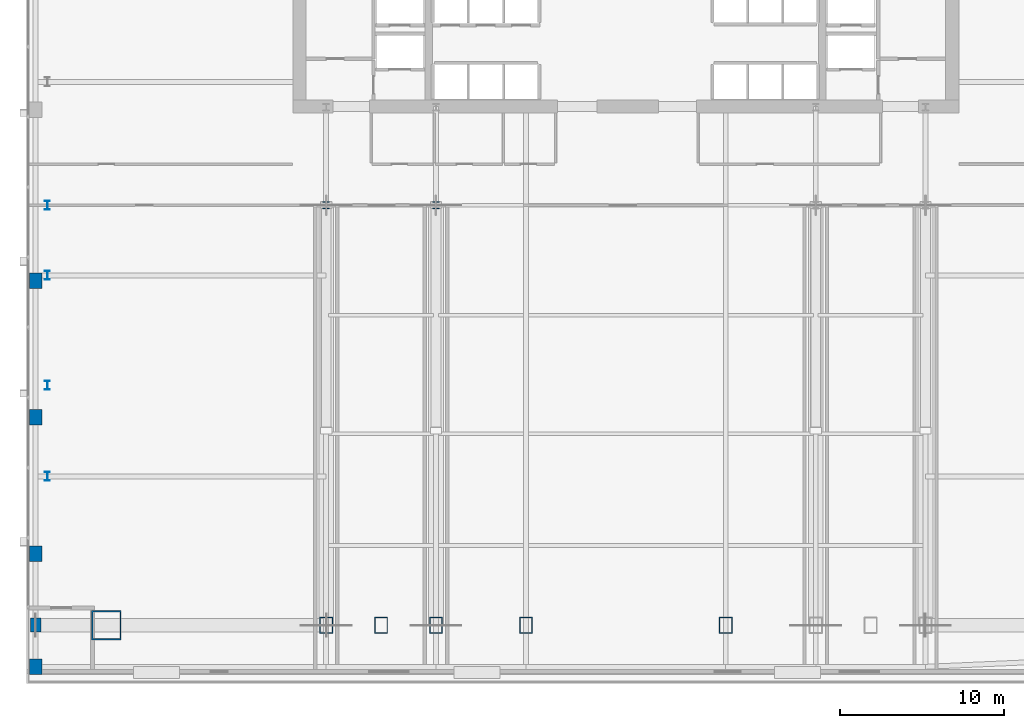
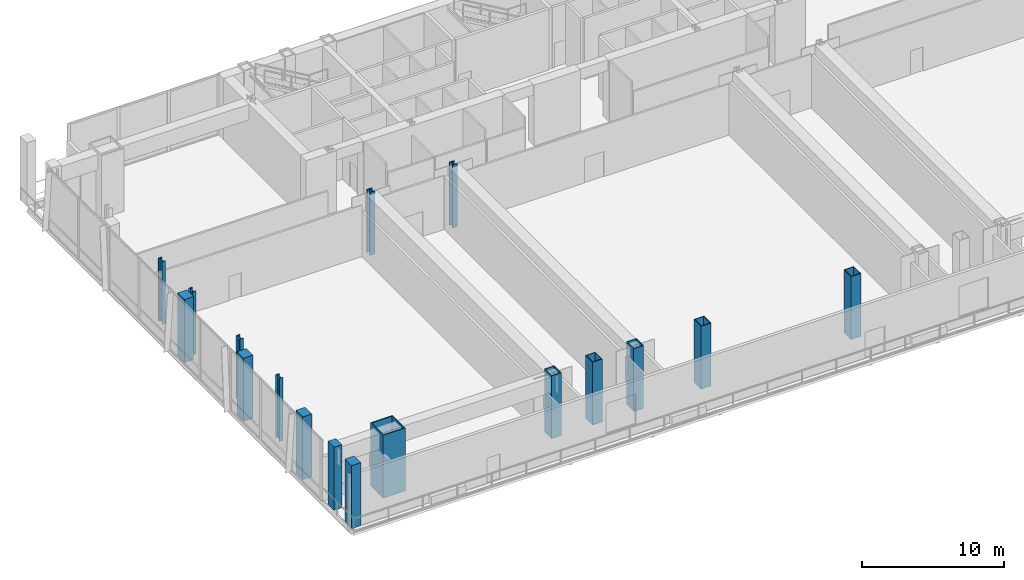
# One storey, part 1 of 26: 17 columns.
"""IFC4 building model written with IfcOpenShell, lengths in metres."""

import ifcopenshell
import ifcopenshell.guid

model = None  # the IFC model being written
_history = None  # IfcOwnerHistory: only IFC2X3 demands one
_inside = {}  # id of a spatial element -> (the spatial element, [elements in it])
_under = {}  # id of a project, library or spatial element -> (it, [spatial elements below it])
_declared = {}  # id of a project -> (the project, [libraries it declares])
_typed = {}  # id of a type object -> (the type object, [elements of that type])
_made_of = {}  # id of a material, layer set ... -> (it, [elements and type objects made of it])


def new_model(schema):
    """Start an empty IFC model of exactly this schema.

    Asked for "IFC4X3", IfcOpenShell would pick the latest addendum, in which some entities
    have other attributes; the version numbers below select the first issue.
    IFC2X3 requires an IfcOwnerHistory on every rooted entity: one is made here for all.
    """
    global model, _history
    if schema == "IFC4X3":
        model = ifcopenshell.file(schema_version=(4, 3, 0, 0))
    else:
        model = ifcopenshell.file(schema=schema)
    _inside.clear()
    _under.clear()
    _declared.clear()
    _typed.clear()
    _made_of.clear()
    _history = None
    if model.schema == "IFC2X3":
        org = make("IfcOrganization", Name="unknown")
        user = make(
            "IfcPersonAndOrganization",
            ThePerson=make("IfcPerson", FamilyName="unknown"),
            TheOrganization=org,
        )
        app = make(
            "IfcApplication",
            ApplicationDeveloper=org,
            Version="unknown",
            ApplicationFullName="unknown",
            ApplicationIdentifier="unknown",
        )
        _history = make(
            "IfcOwnerHistory",
            OwningUser=user,
            OwningApplication=app,
            ChangeAction="ADDED",
            CreationDate=0,
        )
    return model


def make(cls, **values):
    """One entity of the class cls with the attributes given. An attribute that is None is left unset."""
    return model.create_entity(
        cls, **{name: value for name, value in values.items() if value is not None}
    )


def rooted(cls, **values):
    """An entity with a GlobalId (a new one), such as an element, a storey or a relation."""
    return make(cls, GlobalId=ifcopenshell.guid.new(), OwnerHistory=_history, **values)


def si_unit(unit_type, name, prefix=None):
    """IfcSIUnit, for example si_unit("LENGTHUNIT", "METRE", prefix="MILLI")."""
    return make("IfcSIUnit", UnitType=unit_type, Prefix=prefix, Name=name)


def assignment(units):
    """IfcUnitAssignment: the units of a project."""
    return None if units is None else make("IfcUnitAssignment", Units=units)


def point(xyz):
    """IfcCartesianPoint."""
    return None if xyz is None else make("IfcCartesianPoint", Coordinates=xyz)


def direction(xyz):
    """IfcDirection."""
    return None if xyz is None else make("IfcDirection", DirectionRatios=xyz)


def frame(location, z_axis=None, x_axis=None):
    """IfcAxis2Placement3D, a coordinate frame: its origin and axes. An axis left out is left unset."""
    return make(
        "IfcAxis2Placement3D",
        Location=point(location),
        Axis=direction(z_axis),
        RefDirection=direction(x_axis),
    )


def frame_2d(location, x_axis=None):
    """IfcAxis2Placement2D, a coordinate frame in the plane: its origin and x axis."""
    return make(
        "IfcAxis2Placement2D", Location=point(location), RefDirection=direction(x_axis)
    )


def origin():
    """The frame at (0, 0, 0) with its axes left unset."""
    return frame((0.0, 0.0, 0.0))


def origin_2d():
    """The frame at (0, 0) in the plane with its x axis left unset."""
    return frame_2d((0.0, 0.0))


def place(relative_to, where):
    """IfcLocalPlacement: puts the frame where relative to a parent placement (None: the world)."""
    return make(
        "IfcLocalPlacement", PlacementRelTo=relative_to, RelativePlacement=where
    )


def context(
    kind, dimensions, precision=None, world=None, true_north=None, identifier=None
):
    """IfcGeometricRepresentationContext, for example the 3D "Model" context."""
    return make(
        "IfcGeometricRepresentationContext",
        ContextIdentifier=identifier,
        ContextType=kind,
        CoordinateSpaceDimension=dimensions,
        Precision=precision,
        WorldCoordinateSystem=world,
        TrueNorth=true_north,
    )


def subcontext(parent, identifier, kind, view, scale=None):
    """IfcGeometricRepresentationSubContext, for example "Body" below "Model"."""
    return make(
        "IfcGeometricRepresentationSubContext",
        ContextIdentifier=identifier,
        ContextType=kind,
        ParentContext=parent,
        TargetScale=scale,
        TargetView=view,
    )


def project(units=None, contexts=None):
    """IfcProject with its units and contexts."""
    return rooted(
        "IfcProject",
        Name="project",
        RepresentationContexts=contexts,
        UnitsInContext=assignment(units),
    )


def spatial(cls, under=None, at=None, **own):
    """A site, building, storey or space (cls), placed at a placement, below another one or the project."""
    s = rooted(cls, ObjectPlacement=at, **own)
    if under is not None:
        _under.setdefault(under.id(), (under, []))[1].append(s)
    return s


def profile(cls, at=None, kind="AREA", **sizes):
    """A parametric profile (cls). Its sizes go by their IFC names, for example OverallWidth=200.0."""
    return make(cls, ProfileType=kind, Position=at, **sizes)


def rectangle(**sizes):
    """IfcRectangleProfileDef."""
    return profile("IfcRectangleProfileDef", **sizes)


def hollow_rectangle(**sizes):
    """IfcRectangleHollowProfileDef."""
    return profile("IfcRectangleHollowProfileDef", **sizes)


def i_section(**sizes):
    """IfcIShapeProfileDef."""
    return profile("IfcIShapeProfileDef", **sizes)


def extrude(swept, where, along, depth):
    """IfcExtrudedAreaSolid: the profile swept, set in the frame where, extruded along a direction by depth."""
    return make(
        "IfcExtrudedAreaSolid",
        SweptArea=swept,
        Position=where,
        ExtrudedDirection=direction(along),
        Depth=depth,
    )


def shape(context_of_items, identifier, shape_type, items):
    """IfcShapeRepresentation: the items that make up one representation, for example the "Body"."""
    return make(
        "IfcShapeRepresentation",
        ContextOfItems=context_of_items,
        RepresentationIdentifier=identifier,
        RepresentationType=shape_type,
        Items=items,
    )


def material(Name=None, Category=None):
    """IfcMaterial."""
    return make("IfcMaterial", Name=Name, Category=Category)


def material_profile(
    of_material, cross_section, Name=None, Category=None, Priority=None
):
    """IfcMaterialProfile: a cross section and its material."""
    return make(
        "IfcMaterialProfile",
        Name=Name,
        Material=of_material,
        Profile=cross_section,
        Priority=Priority,
        Category=Category,
    )


def profile_set(profiles, Name=None, composite=None):
    """IfcMaterialProfileSet."""
    return make(
        "IfcMaterialProfileSet",
        Name=Name,
        MaterialProfiles=profiles,
        CompositeProfile=composite,
    )


def made_of(thing, what):
    """Note that an element or type object is made of a material, layer set ...; save() writes the relation."""
    if what is not None:
        _made_of.setdefault(what.id(), (what, []))[1].append(thing)
    return thing


def type_object(cls, material=None, **own):
    """A type object (cls), such as IfcWallType, which elements share."""
    return made_of(rooted(cls, **own), material)


def element(
    cls,
    number,
    at=None,
    inside=None,
    cuts=None,
    type_object=None,
    material=None,
    context=None,
    identifier="Body",
    shape_type=None,
    held_by="IfcProductDefinitionShape",
    body=None,
    shapes=None,
    **own,
):
    """One element of the class cls, such as IfcWall. Its Tag is "e" and its number.

    at: its placement. inside: the storey or other place that contains it. cuts: it is an
    opening in that element (IfcRelVoidsElement). A single representation is given by context,
    identifier, shape_type and body (its items); several are given by shapes. held_by: the class
    of the entity that holds the representations. save() writes the other relations.
    """
    e = rooted(cls, Tag="e%d" % number, ObjectPlacement=at, **own)
    if body is not None:
        shapes = [shape(context, identifier, shape_type, body)]
    if shapes is not None:
        e.Representation = make(held_by, Representations=shapes)
    if inside is not None:
        _inside.setdefault(inside.id(), (inside, []))[1].append(e)
    if cuts is not None:
        rooted(
            "IfcRelVoidsElement", RelatingBuildingElement=cuts, RelatedOpeningElement=e
        )
    if type_object is not None:
        _typed.setdefault(type_object.id(), (type_object, []))[1].append(e)
    return made_of(e, material)


def aggregate(whole, parts):
    """IfcRelAggregates: a whole, such as a stair, and the parts it consists of."""
    return rooted("IfcRelAggregates", RelatingObject=whole, RelatedObjects=parts)


def save(model, path):
    """Write the relations noted so far, then the file.

    IfcRelAggregates (storeys below a building ...), IfcRelContainedInSpatialStructure (elements
    in a storey), IfcRelDefinesByType, IfcRelAssociatesMaterial and IfcRelDeclares: one each for
    every whole, place, type object, material and project.
    """
    for whole, parts in _under.values():
        aggregate(whole, parts)
    for where, things in _inside.values():
        rooted(
            "IfcRelContainedInSpatialStructure",
            RelatedElements=things,
            RelatingStructure=where,
        )
    for kind, things in _typed.values():
        rooted("IfcRelDefinesByType", RelatedObjects=things, RelatingType=kind)
    for what, things in _made_of.values():
        rooted("IfcRelAssociatesMaterial", RelatedObjects=things, RelatingMaterial=what)
    for by, libraries in _declared.values():
        rooted("IfcRelDeclares", RelatingContext=by, RelatedDefinitions=libraries)
    model.write(path)


model = new_model("IFC4")

# Units and contexts
model_context = context("Model", 3, precision=1e-05, world=origin(), true_north=direction((0.0, 1.0)))
body_context = subcontext(model_context, "Body", "Model", "MODEL_VIEW")
ifc_project = project(units=[si_unit("LENGTHUNIT", "METRE"), si_unit("AREAUNIT", "SQUARE_METRE"), si_unit("VOLUMEUNIT", "CUBIC_METRE"), si_unit("PLANEANGLEUNIT", "RADIAN"), si_unit("MASSUNIT", "GRAM", prefix="KILO")], contexts=[model_context])

# Site, building, storey
site_placement = place(None, origin())
site = spatial("IfcSite", under=ifc_project, at=site_placement, CompositionType="ELEMENT")
building_placement = place(site_placement, origin())
building = spatial("IfcBuilding", under=site, at=building_placement, Name="Khoronbel Lancet Exchange", CompositionType="ELEMENT")
storey_placement = place(building_placement, frame((0.0, 0.0, 20.39990234375)))
storey = spatial("IfcBuildingStorey", under=building, at=storey_placement, Name="L04", CompositionType="ELEMENT", Elevation=20.39990234375)

# Columns
ifc_material_1 = material(Name="Steel S460", Category="steel")
ifc_material_profile_1 = material_profile(ifc_material_1, hollow_rectangle(XDim=0.800048828125, YDim=1.0, WallThickness=0.054931640625, at=origin_2d()), Name="BOX 1000x800x55")
ifc_profile_set_1 = profile_set([ifc_material_profile_1], Name="Steel S460")
column_type_1 = type_object("IfcColumnType", Name="COL-EC1", PredefinedType="COLUMN", material=ifc_profile_set_1)
for number, where, z_axis, x_axis, name in (
    (1, (18.22509765625, 10.14990234375, 0.0), (0.0, 0.0, 1.0), (1.0, 0.0, 0.0), "Structural column SC-W1 L04"),
    (2, (21.5625, 10.14990234375, 0.0), (0.0, 0.0, 1.0), (1.0, 0.0, 0.0), "Structural column SC-WM L04"),
    (3, (24.89990234375, 10.14990234375, 0.0), (0.0, 0.0, 1.0), (1.0, 0.0, 0.0), "Structural column SC-W2 L04"),
    (4, (30.375, 10.14990234375, 0.0), (0.0, 0.0, 1.0), (1.0, 0.0, 0.0), "Structural column SC-C1 L04"),
    (5, (42.52490234375, 10.14990234375, 0.0), (0.0, 0.0, 1.0), (1.0, 0.0, 0.0), "Structural column SC-C2 L04"),
):
    element("IfcColumn", number, at=place(storey_placement, frame(where, z_axis=z_axis, x_axis=x_axis)), inside=storey, type_object=column_type_1, Name=name, PredefinedType="COLUMN", context=body_context, shape_type="SweptSolid", body=[
        extrude(hollow_rectangle(XDim=0.800048828125, YDim=1.0, WallThickness=0.054931640625, at=origin_2d()), origin(), (0.0, 0.0, 1.0), 5.400146484375),
    ])
ifc_material_profile_2 = material_profile(ifc_material_1, i_section(OverallWidth=0.424072265625, OverallDepth=0.47412109375, WebThickness=0.047607421875, FlangeThickness=0.076904296875, at=origin_2d()), Name="HD 400x634")
ifc_profile_set_2 = profile_set([ifc_material_profile_2], Name="Steel S460")
column_type_2 = type_object("IfcColumnType", Name="COL-IC1", PredefinedType="COLUMN", material=ifc_profile_set_2)
for number, where, z_axis, x_axis, name in (
    (6, (18.22509765625, 35.699951171875, 0.0), (0.0, 0.0, 1.0), (1.0, 0.0, 0.0), "Spine gravity column TC1 L04"),
    (7, (24.89990234375, 35.699951171875, 0.0), (0.0, 0.0, 1.0), (1.0, 0.0, 0.0), "Spine gravity column TC2 L04"),
):
    element("IfcColumn", number, at=place(storey_placement, frame(where, z_axis=z_axis, x_axis=x_axis)), inside=storey, type_object=column_type_2, Name=name, PredefinedType="COLUMN", context=body_context, shape_type="SweptSolid", body=[
        extrude(i_section(OverallWidth=0.424072265625, OverallDepth=0.47412109375, WebThickness=0.047607421875, FlangeThickness=0.076904296875, at=origin_2d()), origin(), (0.0, 0.0, 1.0), 5.400146484375),
    ])
ifc_material_2 = material(Name="Steel S355", Category="steel")
ifc_material_profile_3 = material_profile(ifc_material_2, i_section(OverallWidth=0.300048828125, OverallDepth=0.550048828125, WebThickness=0.014892578125, FlangeThickness=0.029052734375, at=origin_2d()), Name="HEB 550")
ifc_profile_set_3 = profile_set([ifc_material_profile_3], Name="Steel S355")
column_type_3 = type_object("IfcColumnType", Name="COL-LC1", PredefinedType="COLUMN", material=ifc_profile_set_3)
for number, where, z_axis, x_axis, name in (
    (8, (1.27001953125, 19.199951171875, 0.0), (0.0, 0.0, 1.0), (1.0, 0.0, 0.0), "Structural column WC-1 L04"),
    (9, (1.27001953125, 24.75, 0.0), (0.0, 0.0, 1.0), (1.0, 0.0, 0.0), "Structural column WC-2 L04"),
    (10, (1.27001953125, 31.425048828125, 0.0), (0.0, 0.0, 1.0), (1.0, 0.0, 0.0), "Structural column WC-M L04"),
    (11, (1.27001953125, 35.699951171875, 0.0), (0.0, 0.0, 1.0), (1.0, 0.0, 0.0), "Structural column WC-3 L04"),
):
    element("IfcColumn", number, at=place(storey_placement, frame(where, z_axis=z_axis, x_axis=x_axis)), inside=storey, type_object=column_type_3, Name=name, PredefinedType="COLUMN", context=body_context, shape_type="SweptSolid", body=[
        extrude(i_section(OverallWidth=0.300048828125, OverallDepth=0.550048828125, WebThickness=0.014892578125, FlangeThickness=0.029052734375, at=origin_2d()), origin(), (0.0, 0.0, 1.0), 5.400146484375),
    ])
ifc_material_profile_4 = material_profile(ifc_material_1, hollow_rectangle(XDim=1.800048828125, YDim=1.800048828125, WallThickness=0.080078125, at=origin_2d()), Name="BOX 1800x1800x80")
ifc_profile_set_4 = profile_set([ifc_material_profile_4], Name="Steel S460")
column_type_4 = type_object("IfcColumnType", Name="COL-MC1", PredefinedType="COLUMN", material=ifc_profile_set_4)
column_1_placement = place(storey_placement, frame((4.85009765625, 10.14990234375, 0.0), z_axis=(0.0, 0.0, 1.0), x_axis=(1.0, 0.0, 0.0)))
element("IfcColumn", 12, at=column_1_placement, inside=storey, type_object=column_type_4, Name="Structural column MC-SW L04", PredefinedType="COLUMN", context=body_context, shape_type="SweptSolid", body=[
    extrude(hollow_rectangle(XDim=1.800048828125, YDim=1.800048828125, WallThickness=0.080078125, at=origin_2d()), origin(), (0.0, 0.0, 1.0), 5.400146484375),
])
ifc_material_3 = material(Name="Concrete C60/75", Category="concrete")
ifc_material_profile_5 = material_profile(ifc_material_3, rectangle(XDim=0.75, YDim=0.949951171875, at=origin_2d()), Name="RC 750x950")
ifc_profile_set_5 = profile_set([ifc_material_profile_5], Name="Concrete C60/75")
column_type_5 = type_object("IfcColumnType", Name="COL-PIL2", PredefinedType="PILASTER", material=ifc_profile_set_5)
for number, where, z_axis, x_axis, name in (
    (13, (0.550048828125, 7.6201171875, 0.0), (0.0, 0.0, 1.0), (1.0, 0.0, 0.0), "Podium Gothic colonnade pilaster SWP L04"),
    (14, (0.550048828125, 14.5, 0.0), (0.0, 0.0, 1.0), (1.0, 0.0, 0.0), "Podium Gothic colonnade pilaster W1 L04"),
    (15, (0.550048828125, 22.800048828125, 0.0), (0.0, 0.0, 1.0), (1.0, 0.0, 0.0), "Podium Gothic colonnade pilaster W2 L04"),
    (16, (0.550048828125, 31.10009765625, 0.0), (0.0, 0.0, 1.0), (1.0, 0.0, 0.0), "Podium Gothic colonnade pilaster W3 L04"),
):
    element("IfcColumn", number, at=place(storey_placement, frame(where, z_axis=z_axis, x_axis=x_axis)), inside=storey, type_object=column_type_5, Name=name, PredefinedType="PILASTER", context=body_context, shape_type="SweptSolid", body=[
        extrude(rectangle(XDim=0.75, YDim=0.949951171875, at=origin_2d()), origin(), (0.0, 0.0, 1.0), 5.400146484375),
    ])
ifc_material_profile_6 = material_profile(ifc_material_3, rectangle(XDim=0.64990234375, YDim=0.85009765625, at=origin_2d()), Name="RC 650x850")
ifc_profile_set_6 = profile_set([ifc_material_profile_6], Name="Concrete C60/75")
column_type_6 = type_object("IfcColumnType", Name="COL-PIL3", PredefinedType="PILASTER", material=ifc_profile_set_6)
column_2_placement = place(storey_placement, frame((0.550048828125, 10.14990234375, 0.0), z_axis=(0.0, 0.0, 1.0), x_axis=(1.0, 0.0, 0.0)))
element("IfcColumn", 17, at=column_2_placement, inside=storey, type_object=column_type_6, Name="Podium Gothic colonnade pilaster WMC L04", PredefinedType="PILASTER", context=body_context, shape_type="SweptSolid", body=[
    extrude(rectangle(XDim=0.64990234375, YDim=0.85009765625, at=origin_2d()), origin(), (0.0, 0.0, 1.0), 5.400146484375),
])

save(model, "model.ifc")
